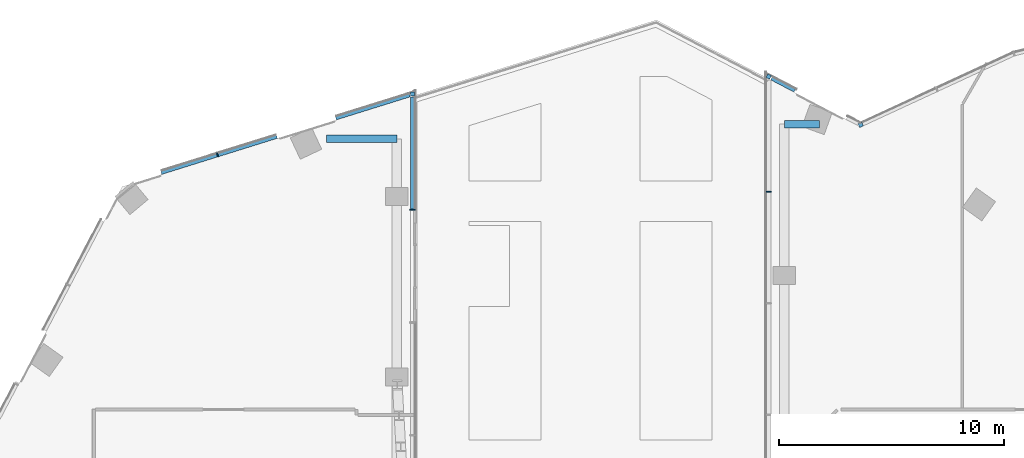
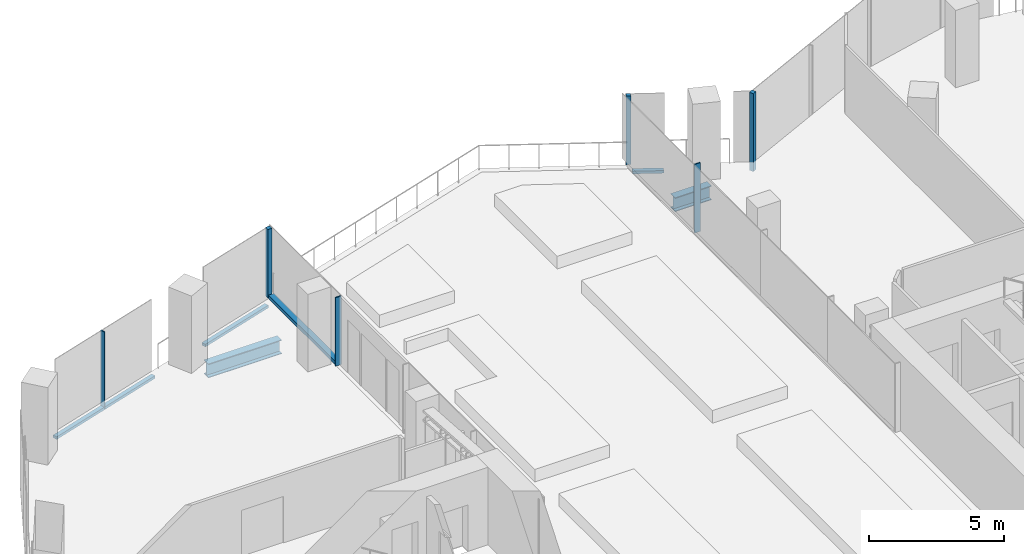
# One storey, part 10 of 26: 10 members, 2 beams, 5 elements without a shape of their own.
"""IFC4 building model written with IfcOpenShell, lengths in metres."""

from ifc_helpers import new_model, si_unit, direction, frame, origin, origin_2d, place, context, subcontext, project, spatial, rectangle, i_section, extrude, material, material_profile, profile_set, type_object, element, aggregate, save


model = new_model("IFC4")

# Units and contexts
model_context = context("Model", 3, precision=1e-05, world=origin(), true_north=direction((0.0, 1.0)))
body_context = subcontext(model_context, "Body", "Model", "MODEL_VIEW")
ifc_project = project(units=[si_unit("LENGTHUNIT", "METRE"), si_unit("AREAUNIT", "SQUARE_METRE"), si_unit("VOLUMEUNIT", "CUBIC_METRE"), si_unit("PLANEANGLEUNIT", "RADIAN"), si_unit("MASSUNIT", "GRAM", prefix="KILO")], contexts=[model_context])

# Site, building, storey
site_placement = place(None, origin())
site = spatial("IfcSite", under=ifc_project, at=site_placement, CompositionType="ELEMENT")
building_placement = place(site_placement, origin())
building = spatial("IfcBuilding", under=site, at=building_placement, Name="Orlundy Tower", CompositionType="ELEMENT")
storey_placement = place(building_placement, frame((0.0, 0.0, 253.5)))
storey = spatial("IfcBuildingStorey", under=building, at=storey_placement, Name="L67", CompositionType="ELEMENT", Elevation=253.5)

# Curtain wall, member
ifc_material_1 = material(Name="Aluminium bronze anodised", Category="aluminium")
curtain_wall_type = type_object("IfcCurtainWallType", Name="CW1 wall", PredefinedType="NOTDEFINED", material=ifc_material_1)
curtain_wall_1_placement = place(storey_placement, origin())
curtain_wall_1 = element("IfcCurtainWall", 1, at=curtain_wall_1_placement, inside=storey, type_object=curtain_wall_type, Name="CW1 run 04", PredefinedType="NOTDEFINED")
ifc_material_2 = material(Name="Aluminium bronze anodised", Category="aluminium")
ifc_material_profile_1 = material_profile(ifc_material_2, rectangle(XDim=0.179931640625, YDim=0.179931640625, at=origin_2d()), Name="CW1 corner post 180x180")
ifc_profile_set_1 = profile_set([ifc_material_profile_1], Name="Aluminium bronze anodised")
member_type_1 = type_object("IfcMemberType", Name="CW1 corner post 180x180", PredefinedType="MULLION", material=ifc_profile_set_1)
member_1_placement = place(storey_placement, frame((-7.909912109375, 29.052490234375, 0.0), z_axis=(0.0, 0.0, 1.0), x_axis=(1.0, 0.0, 0.0)))
member_1 = element("IfcMember", 2, at=member_1_placement, type_object=member_type_1, Name="CW1 mullion 16", PredefinedType="MULLION", context=body_context, shape_type="SweptSolid", body=[
    extrude(rectangle(XDim=0.179931640625, YDim=0.179931640625, at=origin_2d()), origin(), (0.0, 0.0, 1.0), 3.10009765625),
])

curtain_wall_2_placement = place(storey_placement, origin())
curtain_wall_2 = element("IfcCurtainWall", 3, at=curtain_wall_2_placement, inside=storey, type_object=curtain_wall_type, Name="CW1 run 10", PredefinedType="NOTDEFINED")
member_2_placement = place(storey_placement, frame((11.993408203125, 27.687255859375, -0.419921875), z_axis=(0.0, 0.0, 1.0), x_axis=(-0.419975748486, 0.907535327513, 0.0)))
member_2 = element("IfcMember", 4, at=member_2_placement, type_object=member_type_1, Name="CW1 mullion 1", PredefinedType="MULLION", context=body_context, shape_type="SweptSolid", body=[
    extrude(rectangle(XDim=0.179931640625, YDim=0.179931640625, at=origin_2d()), origin(), (0.0, 0.0, 1.0), 3.52001953125),
])
aggregate(curtain_wall_2, [member_2])

curtain_wall_3_placement = place(storey_placement, origin())
curtain_wall_3 = element("IfcCurtainWall", 5, at=curtain_wall_3_placement, inside=storey, type_object=curtain_wall_type, Name="CW1 run 119", PredefinedType="NOTDEFINED")
member_3_placement = place(storey_placement, frame((7.909912109375, 29.827880859375, 0.0), z_axis=(0.0, 0.0, 1.0), x_axis=(0.464264043147, 0.885696843305, 0.0)))
member_3 = element("IfcMember", 6, at=member_3_placement, type_object=member_type_1, Name="CW1 mullion 40", PredefinedType="MULLION", context=body_context, shape_type="SweptSolid", body=[
    extrude(rectangle(XDim=0.179931640625, YDim=0.179931640625, at=origin_2d()), origin(), (0.0, 0.0, 1.0), 3.10009765625),
])

# Curtain wall, members
curtain_wall_4_placement = place(storey_placement, origin())
curtain_wall_4 = element("IfcCurtainWall", 7, at=curtain_wall_4_placement, inside=storey, type_object=curtain_wall_type, Name="CW1 run 03", PredefinedType="NOTDEFINED")
ifc_material_3 = material(Name="Aluminium bronze anodised", Category="aluminium")
ifc_material_profile_2 = material_profile(ifc_material_3, rectangle(XDim=0.179931640625, YDim=0.050048828125, at=origin_2d()), Name="CW1 mullion 50x180")
ifc_profile_set_2 = profile_set([ifc_material_profile_2], Name="Aluminium bronze anodised")
member_type_2 = type_object("IfcMemberType", Name="CW1 mullion 50x180", PredefinedType="MULLION", material=ifc_profile_set_2)
member_4_placement = place(storey_placement, frame((-16.56005859375, 26.3525390625, -0.419921875), z_axis=(0.0, 0.0, 1.0), x_axis=(-0.297935263894, 0.954586077066, 0.0)))
member_4 = element("IfcMember", 8, at=member_4_placement, type_object=member_type_2, Name="CW1 mullion 14", PredefinedType="MULLION", context=body_context, shape_type="SweptSolid", body=[
    extrude(rectangle(XDim=0.179931640625, YDim=0.050048828125, at=origin_2d()), origin(), (0.0, 0.0, 1.0), 3.52001953125),
])
ifc_material_4 = material(Name="Aluminium bronze anodised", Category="aluminium")
ifc_material_profile_3 = material_profile(ifc_material_4, rectangle(XDim=0.179931640625, YDim=0.1201171875, at=origin_2d()), Name="CW1 transom 180x120")
ifc_profile_set_3 = profile_set([ifc_material_profile_3], Name="Aluminium bronze anodised")
member_type_3 = type_object("IfcMemberType", Name="CW1 transom 180x120", PredefinedType="USERDEFINED", material=ifc_profile_set_3)
member_5_placement = place(storey_placement, frame((-19.0634765625, 25.5712890625, -0.360107421875), z_axis=(0.954586541047, 0.297933777292, 0.0), x_axis=(-0.297933777292, 0.954586541047, 0.0)))
member_5 = element("IfcMember", 9, at=member_5_placement, type_object=member_type_3, Name="CW1 transom", ObjectType="TRANSOM", PredefinedType="USERDEFINED", context=body_context, shape_type="SweptSolid", body=[
    extrude(rectangle(XDim=0.179931640625, YDim=0.1201171875, at=origin_2d()), origin(), (0.0, 0.0, 1.0), 5.3779296875),
])
member_6_placement = place(storey_placement, frame((-11.310302734375, 27.990966796875, -0.360107421875), z_axis=(0.954577174138, 0.297963787421, 0.0), x_axis=(-0.297963787421, 0.954577174138, 0.0)))
member_6 = element("IfcMember", 10, at=member_6_placement, type_object=member_type_3, Name="CW1 transom", ObjectType="TRANSOM", PredefinedType="USERDEFINED", context=body_context, shape_type="SweptSolid", body=[
    extrude(rectangle(XDim=0.179931640625, YDim=0.1201171875, at=origin_2d()), origin(), (0.0, 0.0, 1.0), 3.439697265625),
])
aggregate(curtain_wall_4, [member_4, member_5, member_6])

# Member
member_7_placement = place(storey_placement, frame((8.041748046875, 29.7587890625, -0.360107421875), z_axis=(0.885654794163, -0.464344253304, 0.0), x_axis=(0.464344253304, 0.885654794163, 0.0)))
member_7 = element("IfcMember", 11, at=member_7_placement, type_object=member_type_3, Name="CW1 transom", ObjectType="TRANSOM", PredefinedType="USERDEFINED", context=body_context, shape_type="SweptSolid", body=[
    extrude(rectangle(XDim=0.179931640625, YDim=0.1201171875, at=origin_2d()), origin(), (0.0, 0.0, 1.0), 1.1630859375),
])

aggregate(curtain_wall_3, [member_3, member_7])

ifc_material_5 = material(Name="Aluminium bronze anodised", Category="aluminium")
ifc_material_profile_4 = material_profile(ifc_material_5, rectangle(XDim=0.239990234375, YDim=0.050048828125, at=origin_2d()), Name="CW6 mullion 50x240")
ifc_profile_set_4 = profile_set([ifc_material_profile_4], Name="Aluminium bronze anodised")
member_type_4 = type_object("IfcMemberType", Name="CW6 mullion 50x240", PredefinedType="MULLION", material=ifc_profile_set_4)
member_8_placement = place(storey_placement, frame((-7.909912109375, 23.919189453125, 0.0), z_axis=(0.0, 0.0, 1.0), x_axis=(1.0, 0.0, 0.0)))
member_8 = element("IfcMember", 12, at=member_8_placement, type_object=member_type_4, Name="CW6 mullion 17", PredefinedType="MULLION", context=body_context, shape_type="SweptSolid", body=[
    extrude(rectangle(XDim=0.239990234375, YDim=0.050048828125, at=origin_2d()), origin(), (0.0, 0.0, 1.0), 3.10009765625),
])

# Curtain wall, member
curtain_wall_5_placement = place(storey_placement, origin())
curtain_wall_5 = element("IfcCurtainWall", 13, at=curtain_wall_5_placement, inside=storey, type_object=curtain_wall_type, Name="CW1 run 118", PredefinedType="NOTDEFINED")
member_9_placement = place(storey_placement, frame((7.909912109375, 24.72216796875, 0.0), z_axis=(0.0, 0.0, 1.0), x_axis=(-1.0, 0.0, 0.0)))
member_9 = element("IfcMember", 14, at=member_9_placement, type_object=member_type_4, Name="CW6 mullion 39", PredefinedType="MULLION", context=body_context, shape_type="SweptSolid", body=[
    extrude(rectangle(XDim=0.239990234375, YDim=0.050048828125, at=origin_2d()), origin(), (0.0, 0.0, 1.0), 3.10009765625),
])
aggregate(curtain_wall_5, [member_9])

# Member
ifc_material_6 = material(Name="Aluminium bronze anodised", Category="aluminium")
ifc_material_profile_5 = material_profile(ifc_material_6, rectangle(XDim=0.239990234375, YDim=0.159912109375, at=origin_2d()), Name="CW6 transom 240x160")
ifc_profile_set_5 = profile_set([ifc_material_profile_5], Name="Aluminium bronze anodised")
member_type_5 = type_object("IfcMemberType", Name="CW6 transom 240x160", PredefinedType="USERDEFINED", material=ifc_profile_set_5)
member_10_placement = place(storey_placement, frame((-7.8798828125, 28.929931640625, 0.080078125), z_axis=(0.0, -1.0, 0.0), x_axis=(1.0, 0.0, 0.0)))
member_10 = element("IfcMember", 15, at=member_10_placement, type_object=member_type_5, Name="CW6 transom", ObjectType="TRANSOM", PredefinedType="USERDEFINED", context=body_context, shape_type="SweptSolid", body=[
    extrude(rectangle(XDim=0.239990234375, YDim=0.159912109375, at=origin_2d()), origin(), (0.0, 0.0, 1.0), 4.98583984375),
])

aggregate(curtain_wall_1, [member_1, member_8, member_10])

# Beams
ifc_material_7 = material(Name="Steel ASTM A992 Gr 50", Category="steel")
ifc_material_profile_6 = material_profile(ifc_material_7, i_section(OverallWidth=0.3291015625, OverallDepth=0.635009765625, WebThickness=0.017822265625, FlangeThickness=0.031005859375, at=origin_2d()), Name="W24X162")
ifc_profile_set_6 = profile_set([ifc_material_profile_6], Name="Steel ASTM A992 Gr 50")
beam_type = type_object("IfcBeamType", Name="TRANSFER GIRDER beam W24X162", PredefinedType="BEAM", material=ifc_profile_set_6)
beam_1_placement = place(storey_placement, frame((8.60009765625, 27.71484375, -0.737548828125), z_axis=(1.0, 0.0, 0.0), x_axis=(0.0, 1.0, 0.0)))
element("IfcBeam", 16, at=beam_1_placement, inside=storey, type_object=beam_type, Name="Transfer stub beam E C-H02", PredefinedType="BEAM", context=body_context, shape_type="SweptSolid", body=[
    extrude(i_section(OverallWidth=0.3291015625, OverallDepth=0.635009765625, WebThickness=0.017822265625, FlangeThickness=0.031005859375, at=origin_2d()), origin(), (0.0, 0.0, 1.0), 1.552734375),
])
beam_2_placement = place(storey_placement, frame((-8.60009765625, 27.060791015625, -0.737548828125), z_axis=(-1.0, 0.0, 0.0), x_axis=(0.0, -1.0, 0.0)))
element("IfcBeam", 17, at=beam_2_placement, inside=storey, type_object=beam_type, Name="Transfer stub beam W C-H23", PredefinedType="BEAM", context=body_context, shape_type="SweptSolid", body=[
    extrude(i_section(OverallWidth=0.3291015625, OverallDepth=0.635009765625, WebThickness=0.017822265625, FlangeThickness=0.031005859375, at=origin_2d()), origin(), (0.0, 0.0, 1.0), 3.131103515625),
])

save(model, "model.ifc")
